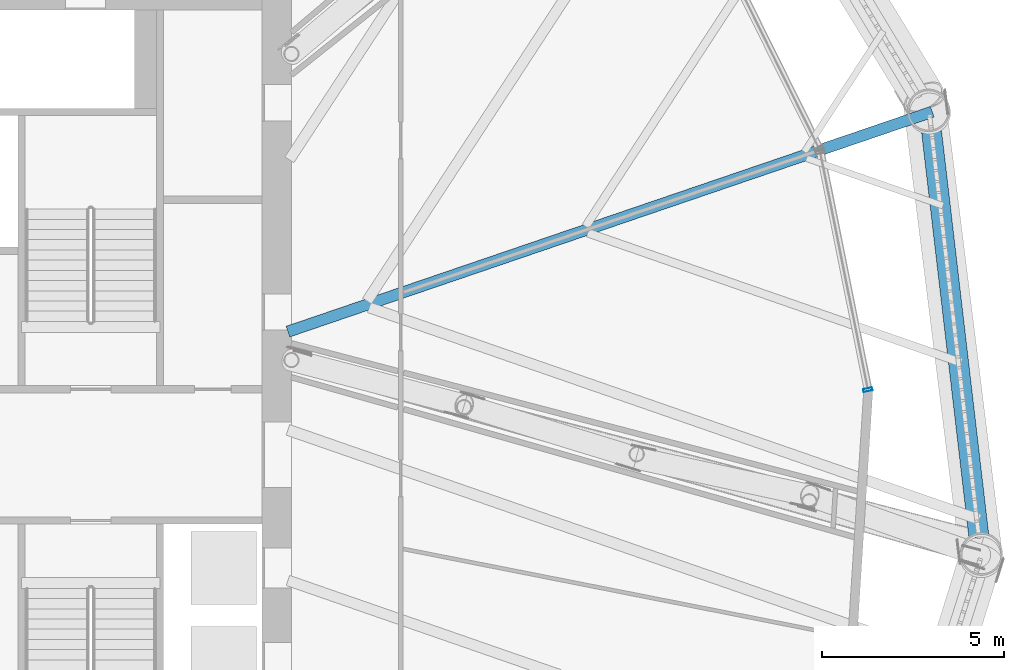
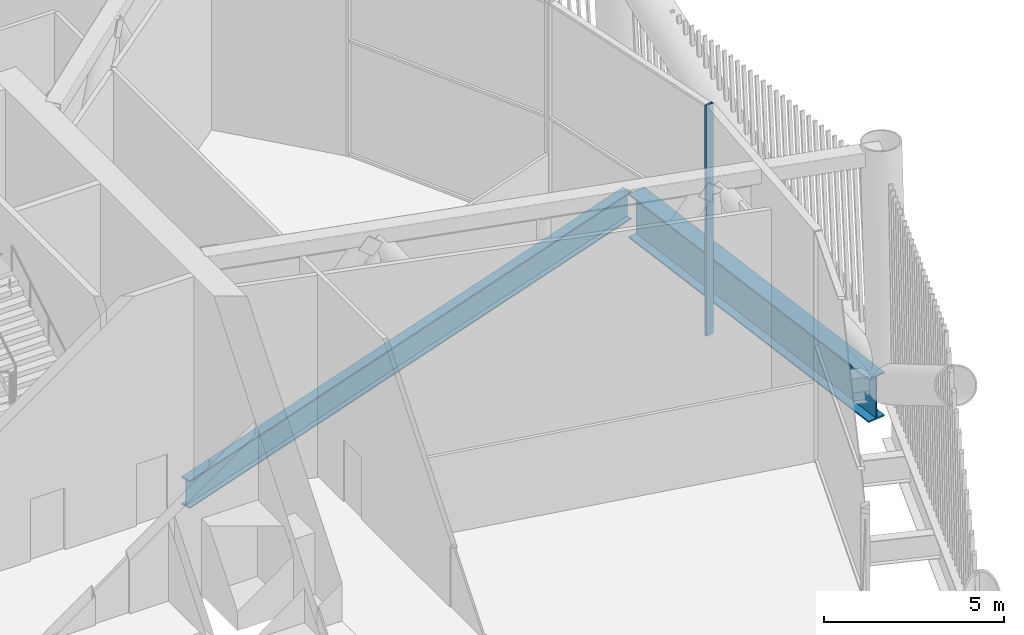
# One storey, part 22 of 63: 2 beams, 1 member, 1 element without a shape of its own.
"""IFC4 building model written with IfcOpenShell, lengths in metres."""

from ifc_helpers import new_model, si_unit, direction, frame, origin, origin_2d, place, context, subcontext, project, spatial, hollow_rectangle, i_section, extrude, material, layer, layer_set, material_profile, profile_set, type_object, element, aggregate, save


model = new_model("IFC4")

# Units and contexts
model_context = context("Model", 3, precision=1e-05, world=origin(), true_north=direction((0.0, 1.0)))
body_context = subcontext(model_context, "Body", "Model", "MODEL_VIEW")
ifc_project = project(units=[si_unit("LENGTHUNIT", "METRE"), si_unit("AREAUNIT", "SQUARE_METRE"), si_unit("VOLUMEUNIT", "CUBIC_METRE"), si_unit("PLANEANGLEUNIT", "RADIAN"), si_unit("MASSUNIT", "GRAM", prefix="KILO")], contexts=[model_context])

# Site, building, storey
site_placement = place(None, origin())
site = spatial("IfcSite", under=ifc_project, at=site_placement, CompositionType="ELEMENT")
building_placement = place(site_placement, origin())
building = spatial("IfcBuilding", under=site, at=building_placement, Name="Tarsis Ring Headquarters", CompositionType="ELEMENT")
storey_placement = place(building_placement, frame((0.0, 0.0, 139.60009765625)))
storey = spatial("IfcBuildingStorey", under=building, at=storey_placement, Name="L32", CompositionType="ELEMENT", Elevation=139.60009765625)

# Curtain wall, member
ifc_material_1 = material(Name="Aluminium curtain wall", Category="aluminium")
ifc_layer = layer(ifc_material_1, 0.25)
ifc_layer_set = layer_set([ifc_layer], Name="Curtain wall sky lobby")
curtain_wall_type = type_object("IfcCurtainWallType", Name="Curtain wall sky lobby", PredefinedType="NOTDEFINED", material=ifc_layer_set)
curtain_wall_placement = place(storey_placement, origin())
curtain_wall = element("IfcCurtainWall", 1, at=curtain_wall_placement, inside=storey, type_object=curtain_wall_type, Name="Curtain wall L32-23", PredefinedType="NOTDEFINED")
ifc_material_2 = material(Name="Aluminium mullion", Category="aluminium")
ifc_material_profile_1 = material_profile(ifc_material_2, hollow_rectangle(XDim=0.25, YDim=0.080078125, WallThickness=0.0048828125, at=origin_2d()), Name="RHS 250x80x5")
ifc_profile_set_1 = profile_set([ifc_material_profile_1], Name="Aluminium mullion")
member_type = type_object("IfcMemberType", Name="Curtain wall mullion sky lobby RHS 250x80x5", PredefinedType="MULLION", material=ifc_profile_set_1)
member_placement = place(storey_placement, frame((25.8046875, 1.7880859375, 0.0), z_axis=(0.0, 0.0, 1.0), x_axis=(-0.980477628068, -0.196630671205, 0.0)))
member = element("IfcMember", 2, at=member_placement, type_object=member_type, Name="CW-S mullion 1", PredefinedType="MULLION", context=body_context, shape_type="SweptSolid", body=[
    extrude(hollow_rectangle(XDim=0.25, YDim=0.080078125, WallThickness=0.0048828125, at=origin_2d()), origin(), (0.0, 0.0, 1.0), 7.83984375),
])
aggregate(curtain_wall, [member])

# Beams
ifc_material_3 = material(Name="Structural steel S355", Category="steel")
ifc_material_profile_2 = material_profile(ifc_material_3, i_section(OverallWidth=0.309814453125, OverallDepth=0.949951171875, WebThickness=0.0244140625, FlangeThickness=0.0439453125, at=origin_2d()), Name="W36x256")
ifc_profile_set_2 = profile_set([ifc_material_profile_2], Name="Structural steel S355")
beam_type_1 = type_object("IfcBeamType", Name="FB Floor beam W36x256 spine", PredefinedType="BEAM", material=ifc_profile_set_2)
beam_1_placement = place(storey_placement, frame((27.572265625, 9.407958984375, -0.775146484375), z_axis=(-0.946424456562, -0.322925297896, 0.0), x_axis=(0.322925297896, -0.946424456562, 0.0)))
element("IfcBeam", 3, at=beam_1_placement, inside=storey, type_object=beam_type_1, Name="Floor beam SB11", PredefinedType="BEAM", context=body_context, shape_type="SweptSolid", body=[
    extrude(i_section(OverallWidth=0.309814453125, OverallDepth=0.949951171875, WebThickness=0.0244140625, FlangeThickness=0.0439453125, at=origin_2d()), origin(), (0.0, 0.0, 1.0), 18.6669921875),
])
ifc_material_profile_3 = material_profile(ifc_material_3, i_section(OverallWidth=0.550048828125, OverallDepth=1.5, WebThickness=0.030029296875, FlangeThickness=0.050048828125, at=origin_2d()), Name="PG 1500x550x30x50")
ifc_profile_set_3 = profile_set([ifc_material_profile_3], Name="Structural steel S355")
beam_type_2 = type_object("IfcBeamType", Name="XG Ring girder PG 1500x550x30x50", PredefinedType="BEAM", material=ifc_profile_set_3)
beam_2_placement = place(storey_placement, frame((28.853515625, -2.26318359375, -0.75), z_axis=(-0.116125200673, 0.993234583454, 0.0), x_axis=(-0.993234583454, -0.116125200673, 0.0)))
element("IfcBeam", 4, at=beam_2_placement, inside=storey, type_object=beam_type_2, Name="Ring girder XG6", PredefinedType="BEAM", context=body_context, shape_type="SweptSolid", body=[
    extrude(i_section(OverallWidth=0.550048828125, OverallDepth=1.5, WebThickness=0.030029296875, FlangeThickness=0.050048828125, at=origin_2d()), origin(), (0.0, 0.0, 1.0), 11.197265625),
])

save(model, "model.ifc")
